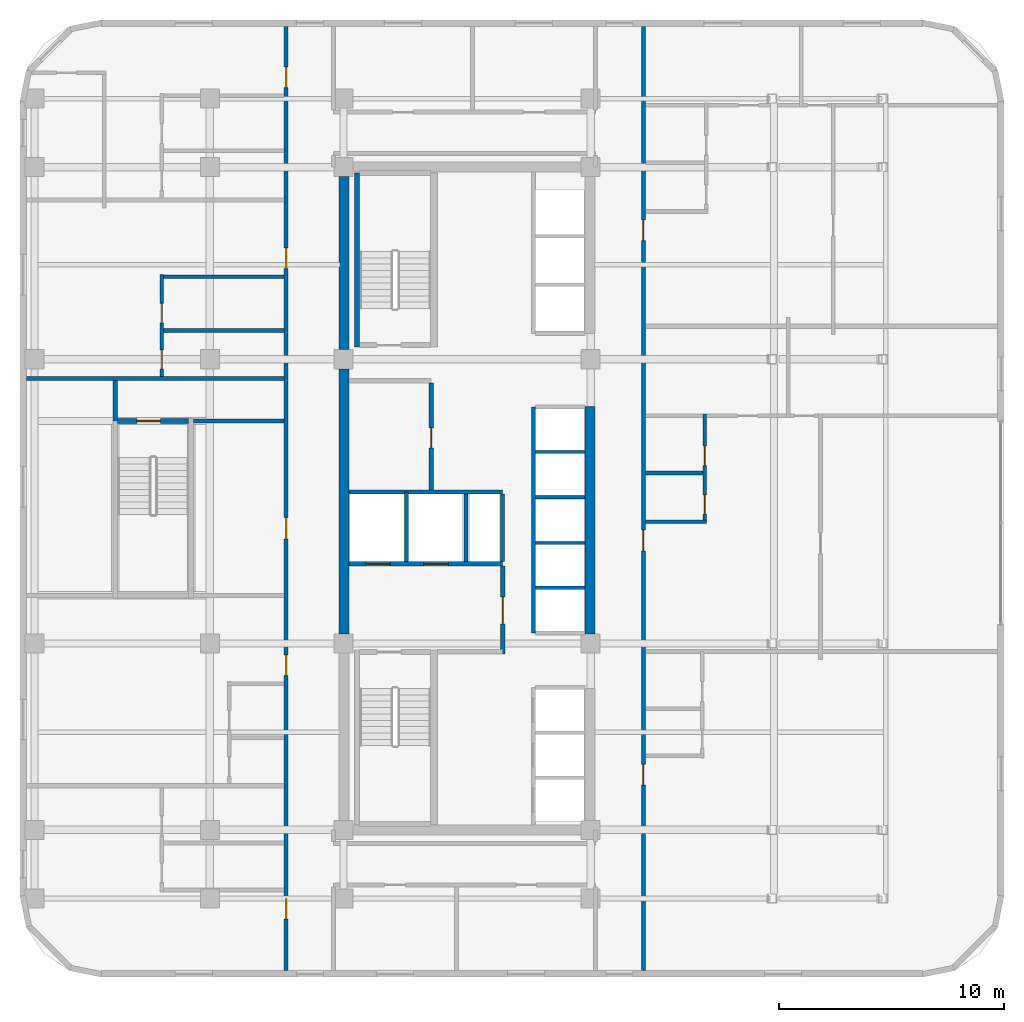
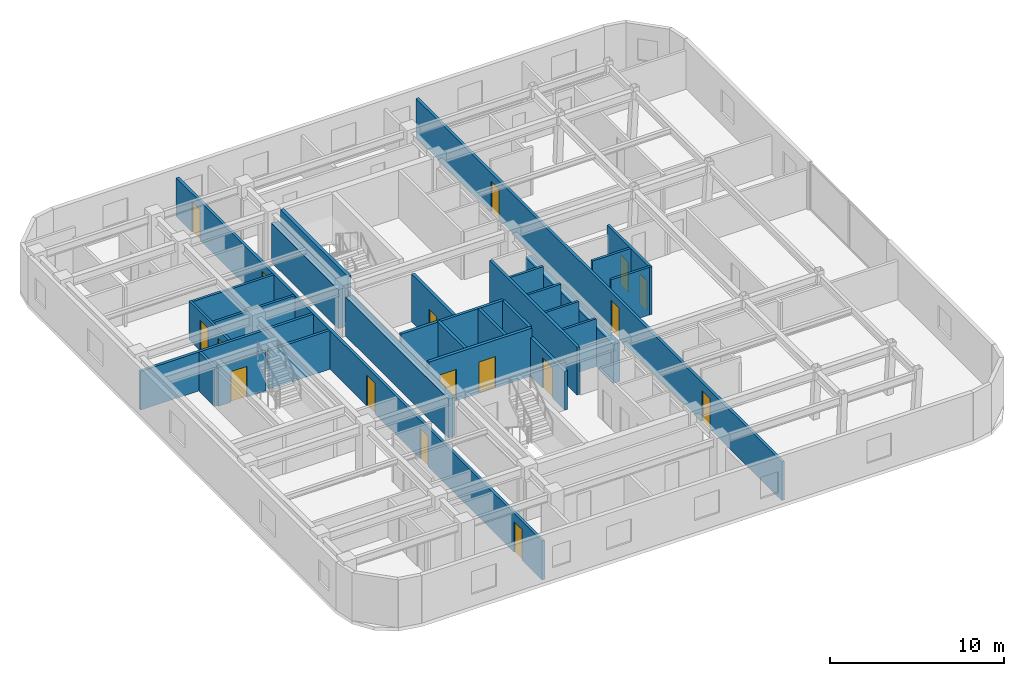
# One storey, part 5 of 9: 28 walls, 17 doors, 17 openings.
"""IFC4 building model written with IfcOpenShell, lengths in metres."""

from ifc_helpers import new_model, si_unit, direction, frame, frame_2d, origin, place, context, subcontext, project, spatial, rectangle, extrude, material, layer, layer_set, type_object, element, fill, save


model = new_model("IFC4")

# Units and contexts
model_context = context("Model", 3, precision=1e-05, world=origin(), true_north=direction((0.0, 1.0)))
body_context = subcontext(model_context, "Body", "Model", "MODEL_VIEW")
ifc_project = project(units=[si_unit("LENGTHUNIT", "METRE"), si_unit("AREAUNIT", "SQUARE_METRE"), si_unit("VOLUMEUNIT", "CUBIC_METRE"), si_unit("PLANEANGLEUNIT", "RADIAN"), si_unit("MASSUNIT", "GRAM", prefix="KILO")], contexts=[model_context])

# Site, building, storey
site_placement = place(None, origin())
site = spatial("IfcSite", under=ifc_project, at=site_placement, CompositionType="ELEMENT")
building_placement = place(site_placement, origin())
building = spatial("IfcBuilding", under=site, at=building_placement, Name="Ochreholt Gables", CompositionType="ELEMENT")
storey_placement = place(building_placement, frame((0.0, 0.0, 94.800048828125)))
storey = spatial("IfcBuildingStorey", under=building, at=storey_placement, Name="L24", CompositionType="ELEMENT", Elevation=94.800048828125)

# Walls
ifc_material_1 = material(Name="Concrete 60 MPa", Category="concrete")
ifc_layer_1 = layer(ifc_material_1, 0.449951171875, Name="Concrete 60 MPa")
ifc_layer_set_1 = layer_set([ifc_layer_1], Name="Concrete 60 MPa")
wall_type_1 = type_object("IfcWallType", Name="WALL-CSW-450", PredefinedType="SHEAR", material=ifc_layer_set_1)
wall_1_placement = place(storey_placement, frame((24.22509765625, 17.97509765625, 0.0), z_axis=(0.0, 0.0, 1.0), x_axis=(0.0, 1.0, 0.0)))
element("IfcWall", 1, at=wall_1_placement, inside=storey, type_object=wall_type_1, Name="L24 Core West Shear Wall WM", PredefinedType="SHEAR", context=body_context, shape_type="SweptSolid", body=[
    extrude(rectangle(XDim=11.7998046875, YDim=0.449951171875, at=frame_2d((5.89990234375, 0.0))), origin(), (0.0, 0.0, 1.0), 2.739013671875),
])
wall_2_placement = place(storey_placement, frame((24.22509765625, 30.625, 0.0), z_axis=(0.0, 0.0, 1.0), x_axis=(0.0, 1.0, 0.0)))
element("IfcWall", 2, at=wall_2_placement, inside=storey, type_object=wall_type_1, Name="L24 Core West Shear Wall WN", PredefinedType="SHEAR", context=body_context, shape_type="SweptSolid", body=[
    extrude(rectangle(XDim=7.699951171875, YDim=0.449951171875, at=frame_2d((3.85009765625, 0.0))), origin(), (0.0, 0.0, 1.0), 2.739013671875),
])
wall_3_placement = place(storey_placement, frame((35.175048828125, 17.97509765625, 0.0), z_axis=(0.0, 0.0, 1.0), x_axis=(0.0, 1.0, 0.0)))
element("IfcWall", 3, at=wall_3_placement, inside=storey, type_object=wall_type_1, Name="L24 Core Central-East Shear Wall", PredefinedType="SHEAR", context=body_context, shape_type="SweptSolid", body=[
    extrude(rectangle(XDim=10.125, YDim=0.449951171875, at=frame_2d((5.0625, 0.0))), origin(), (0.0, 0.0, 1.0), 2.739013671875),
])

# Wall, openings, doors
ifc_material_2 = material(Name="Concrete 40 MPa", Category="concrete")
ifc_layer_2 = layer(ifc_material_2, 0.199951171875, Name="Concrete 40 MPa")
ifc_layer_set_2 = layer_set([ifc_layer_2], Name="Concrete 40 MPa")
wall_type_2 = type_object("IfcWallType", Name="WALL-INT-CF200", PredefinedType="STANDARD", material=ifc_layer_set_2)
wall_4_placement = place(storey_placement, frame((24.449951171875, 21.090087890625, 0.0), z_axis=(0.0, 0.0, 1.0), x_axis=(1.0, 0.0, 0.0)))
wall_4 = element("IfcWall", 4, at=wall_4_placement, inside=storey, type_object=wall_type_2, Name="L24 Interior Wall WI-FFN-L24", PredefinedType="STANDARD", context=body_context, shape_type="SweptSolid", body=[
    extrude(rectangle(XDim=6.830078125, YDim=0.199951171875, at=frame_2d((3.4150390625, 0.0))), origin(), (0.0, 0.0, 1.0), 3.349853515625),
])
opening_1_placement = place(wall_4_placement, frame((0.719970703125, 0.0, 0.0)))
opening_1 = element("IfcOpeningElement", 5, at=opening_1_placement, cuts=wall_4, Name="Opening LD-FF", PredefinedType="OPENING", context=body_context, shape_type="SweptSolid", body=[
    extrude(rectangle(XDim=1.10009765625, YDim=2.199951171875, at=frame_2d((0.550048828125, 1.10009765625))), frame((0.0, 0.10986328125, 0.0), z_axis=(0.0, -1.0, 0.0), x_axis=(1.0, 0.0, 0.0)), (0.0, 0.0, 1.0), 0.219970703125),
])
opening_2_placement = place(wall_4_placement, frame((3.320068359375, 0.0, 0.0)))
opening_2 = element("IfcOpeningElement", 6, at=opening_2_placement, cuts=wall_4, Name="Opening LD-FF", PredefinedType="OPENING", context=body_context, shape_type="SweptSolid", body=[
    extrude(rectangle(XDim=1.10009765625, YDim=2.199951171875, at=frame_2d((0.550048828125, 1.10009765625))), frame((0.0, 0.10986328125, 0.0), z_axis=(0.0, -1.0, 0.0), x_axis=(1.0, 0.0, 0.0)), (0.0, 0.0, 1.0), 0.219970703125),
])
ifc_material_3 = material(Name="Stainless Steel", Category="steel")
door_type_1 = type_object("IfcDoorType", Name="DR-LFT-FF1100", OperationType="NOTDEFINED", PredefinedType="DOOR", material=ifc_material_3)
door_1_placement = place(opening_1_placement, origin())
door_1 = element("IfcDoor", 7, at=door_1_placement, inside=storey, type_object=door_type_1, Name="L24 Door LD-FF1-L24", OperationType="SLIDING_TO_LEFT", OverallHeight=2.199951171875, OverallWidth=1.10009765625, PredefinedType="DOOR", context=body_context, shape_type="SweptSolid", body=[
    extrude(rectangle(XDim=1.10009765625, YDim=2.199951171875, at=frame_2d((0.550048828125, 1.10009765625))), frame((0.0, 0.02490234375, 0.0), z_axis=(0.0, -1.0, 0.0), x_axis=(1.0, 0.0, 0.0)), (0.0, 0.0, 1.0), 0.050048828125),
])
fill(opening_1, door_1)
door_2_placement = place(opening_2_placement, origin())
door_2 = element("IfcDoor", 8, at=door_2_placement, inside=storey, type_object=door_type_1, Name="L24 Door LD-FF2-L24", OperationType="SLIDING_TO_LEFT", OverallHeight=2.199951171875, OverallWidth=1.10009765625, PredefinedType="DOOR", context=body_context, shape_type="SweptSolid", body=[
    extrude(rectangle(XDim=1.10009765625, YDim=2.199951171875, at=frame_2d((0.550048828125, 1.10009765625))), frame((0.0, 0.02490234375, 0.0), z_axis=(0.0, -1.0, 0.0), x_axis=(1.0, 0.0, 0.0)), (0.0, 0.0, 1.0), 0.050048828125),
])
fill(opening_2, door_2)

# Wall, opening, door
wall_5_placement = place(storey_placement, frame((31.280029296875, 17.070068359375, 0.0), z_axis=(0.0, 0.0, 1.0), x_axis=(0.0, 1.0, 0.0)))
wall_5 = element("IfcWall", 9, at=wall_5_placement, inside=storey, type_object=wall_type_2, Name="L24 Interior Wall WI-FFE-L24", PredefinedType="STANDARD", context=body_context, shape_type="SweptSolid", body=[
    extrude(rectangle(XDim=3.919921875, YDim=0.199951171875, at=frame_2d((1.9599609375, 0.0))), origin(), (0.0, 0.0, 1.0), 2.720947265625),
])
opening_3_placement = place(wall_5_placement, frame((1.35009765625, 0.0, 0.0)))
opening_3 = element("IfcOpeningElement", 10, at=opening_3_placement, cuts=wall_5, Name="Opening D-FFL", PredefinedType="OPENING", context=body_context, shape_type="SweptSolid", body=[
    extrude(rectangle(XDim=1.199951171875, YDim=2.14990234375, at=frame_2d((0.60009765625, 1.074951171875))), frame((0.0, 0.10986328125, 0.0), z_axis=(0.0, -1.0, 0.0), x_axis=(1.0, 0.0, 0.0)), (0.0, 0.0, 1.0), 0.219970703125),
])
ifc_material_4 = material(Name="Hollow Metal Steel", Category="steel")
door_type_2 = type_object("IfcDoorType", Name="DR-INT-FFL1200", OperationType="NOTDEFINED", PredefinedType="DOOR", material=ifc_material_4)
door_3_placement = place(opening_3_placement, origin())
door_3 = element("IfcDoor", 11, at=door_3_placement, inside=storey, type_object=door_type_2, Name="L24 Door D-FFL-L24", OperationType="SINGLE_SWING_LEFT", OverallHeight=2.14990234375, OverallWidth=1.199951171875, PredefinedType="DOOR", context=body_context, shape_type="SweptSolid", body=[
    extrude(rectangle(XDim=1.199951171875, YDim=2.14990234375, at=frame_2d((0.60009765625, 1.074951171875))), frame((0.0, 0.02490234375, 0.0), z_axis=(0.0, -1.0, 0.0), x_axis=(1.0, 0.0, 0.0)), (0.0, 0.0, 1.0), 0.050048828125),
])
fill(opening_3, door_3)

wall_6_placement = place(storey_placement, frame((28.10009765625, 24.389892578125, 0.0), z_axis=(0.0, 0.0, 1.0), x_axis=(0.0, 1.0, 0.0)))
wall_6 = element("IfcWall", 12, at=wall_6_placement, inside=storey, type_object=wall_type_2, Name="L24 Interior Wall WI-SRVE-L24", PredefinedType="STANDARD", context=body_context, shape_type="SweptSolid", body=[
    extrude(rectangle(XDim=4.75, YDim=0.199951171875, at=frame_2d((2.375, 0.0))), origin(), (0.0, 0.0, 1.0), 3.349853515625),
])
opening_4_placement = place(wall_6_placement, frame((1.860107421875, 0.0, 0.0)))
opening_4 = element("IfcOpeningElement", 13, at=opening_4_placement, cuts=wall_6, Name="Opening D-SV1", PredefinedType="OPENING", context=body_context, shape_type="SweptSolid", body=[
    extrude(rectangle(XDim=0.89990234375, YDim=2.10009765625, at=frame_2d((0.449951171875, 1.050048828125))), frame((0.0, 0.10986328125, 0.0), z_axis=(0.0, -1.0, 0.0), x_axis=(1.0, 0.0, 0.0)), (0.0, 0.0, 1.0), 0.219970703125),
])
door_type_3 = type_object("IfcDoorType", Name="DR-INT-SRV900", OperationType="NOTDEFINED", PredefinedType="DOOR", material=ifc_material_4)
door_4_placement = place(opening_4_placement, origin())
door_4 = element("IfcDoor", 14, at=door_4_placement, inside=storey, type_object=door_type_3, Name="L24 Door D-SRV1-L24", OperationType="SINGLE_SWING_LEFT", OverallHeight=2.10009765625, OverallWidth=0.89990234375, PredefinedType="DOOR", context=body_context, shape_type="SweptSolid", body=[
    extrude(rectangle(XDim=0.89990234375, YDim=2.10009765625, at=frame_2d((0.449951171875, 1.050048828125))), frame((0.0, 0.02490234375, 0.0), z_axis=(0.0, -1.0, 0.0), x_axis=(1.0, 0.0, 0.0)), (0.0, 0.0, 1.0), 0.050048828125),
])
fill(opening_4, door_4)

# Wall, openings, doors
ifc_material_5 = material(Name="Fire-Rated Gypsum Acoustic Partition", Category="gypsum")
ifc_layer_3 = layer(ifc_material_5, 0.179931640625, Name="Fire-Rated Gypsum Acoustic Partition")
ifc_layer_set_3 = layer_set([ifc_layer_3], Name="Fire-Rated Gypsum Acoustic Partition")
wall_type_3 = type_object("IfcWallType", Name="WALL-INT-CR180", PredefinedType="STANDARD", material=ifc_layer_set_3)
wall_7_placement = place(storey_placement, frame((37.550048828125, 2.97998046875, 0.0), z_axis=(0.0, 0.0, 1.0), x_axis=(0.0, 1.0, 0.0)))
wall_7 = element("IfcWall", 15, at=wall_7_placement, inside=storey, type_object=wall_type_3, Name="L24 Interior Wall WI-C1E-L24", PredefinedType="STANDARD", context=body_context, shape_type="SweptSolid", body=[
    extrude(rectangle(XDim=42.0400390625, YDim=0.179931640625, at=frame_2d((21.02001953125, 0.0))), origin(), (0.0, 0.0, 1.0), 2.720947265625),
])
opening_5_placement = place(wall_7_placement, frame((8.263916015625, 0.0, 0.0)))
opening_5 = element("IfcOpeningElement", 16, at=opening_5_placement, cuts=wall_7, Name="Opening D-UN1", PredefinedType="OPENING", context=body_context, shape_type="SweptSolid", body=[
    extrude(rectangle(XDim=0.919921875, YDim=2.14990234375, at=frame_2d((0.4599609375, 1.074951171875))), frame((0.0, 0.099853515625, 0.0), z_axis=(0.0, -1.0, 0.0), x_axis=(1.0, 0.0, 0.0)), (0.0, 0.0, 1.0), 0.199951171875),
])
opening_6_placement = place(wall_7_placement, frame((18.69091796875, 0.0, 0.0)))
opening_6 = element("IfcOpeningElement", 17, at=opening_6_placement, cuts=wall_7, Name="Opening D-UN1", PredefinedType="OPENING", context=body_context, shape_type="SweptSolid", body=[
    extrude(rectangle(XDim=0.919921875, YDim=2.14990234375, at=frame_2d((0.4599609375, 1.074951171875))), frame((0.0, 0.099853515625, 0.0), z_axis=(0.0, -1.0, 0.0), x_axis=(1.0, 0.0, 0.0)), (0.0, 0.0, 1.0), 0.199951171875),
])
opening_7_placement = place(wall_7_placement, frame((32.494384765625, 0.0, 0.0)))
opening_7 = element("IfcOpeningElement", 18, at=opening_7_placement, cuts=wall_7, Name="Opening D-UN1", PredefinedType="OPENING", context=body_context, shape_type="SweptSolid", body=[
    extrude(rectangle(XDim=0.919921875, YDim=2.14990234375, at=frame_2d((0.4599609375, 1.074951171875))), frame((0.0, 0.099853515625, 0.0), z_axis=(0.0, -1.0, 0.0), x_axis=(1.0, 0.0, 0.0)), (0.0, 0.0, 1.0), 0.199951171875),
])
ifc_material_6 = material(Name="Engineered Oak Timber", Category="wood")
door_type_4 = type_object("IfcDoorType", Name="DR-INT-UNT920", OperationType="NOTDEFINED", PredefinedType="DOOR", material=ifc_material_6)
door_5_placement = place(opening_5_placement, origin())
door_5 = element("IfcDoor", 19, at=door_5_placement, inside=storey, type_object=door_type_4, Name="L24 Door D-U-L24E1-ENT", OperationType="SINGLE_SWING_RIGHT", OverallHeight=2.14990234375, OverallWidth=0.919921875, PredefinedType="DOOR", context=body_context, shape_type="SweptSolid", body=[
    extrude(rectangle(XDim=0.919921875, YDim=2.14990234375, at=frame_2d((0.4599609375, 1.074951171875))), frame((0.0, 0.02490234375, 0.0), z_axis=(0.0, -1.0, 0.0), x_axis=(1.0, 0.0, 0.0)), (0.0, 0.0, 1.0), 0.050048828125),
])
fill(opening_5, door_5)
door_6_placement = place(opening_6_placement, origin())
door_6 = element("IfcDoor", 20, at=door_6_placement, inside=storey, type_object=door_type_4, Name="L24 Door D-U-L24E2-ENT", OperationType="SINGLE_SWING_LEFT", OverallHeight=2.14990234375, OverallWidth=0.919921875, PredefinedType="DOOR", context=body_context, shape_type="SweptSolid", body=[
    extrude(rectangle(XDim=0.919921875, YDim=2.14990234375, at=frame_2d((0.4599609375, 1.074951171875))), frame((0.0, 0.02490234375, 0.0), z_axis=(0.0, -1.0, 0.0), x_axis=(1.0, 0.0, 0.0)), (0.0, 0.0, 1.0), 0.050048828125),
])
fill(opening_6, door_6)
door_7_placement = place(opening_7_placement, origin())
door_7 = element("IfcDoor", 21, at=door_7_placement, inside=storey, type_object=door_type_4, Name="L24 Door D-U-L24E3-ENT", OperationType="SINGLE_SWING_RIGHT", OverallHeight=2.14990234375, OverallWidth=0.919921875, PredefinedType="DOOR", context=body_context, shape_type="SweptSolid", body=[
    extrude(rectangle(XDim=0.919921875, YDim=2.14990234375, at=frame_2d((0.4599609375, 1.074951171875))), frame((0.0, 0.02490234375, 0.0), z_axis=(0.0, -1.0, 0.0), x_axis=(1.0, 0.0, 0.0)), (0.0, 0.0, 1.0), 0.050048828125),
])
fill(opening_7, door_7)

wall_8_placement = place(storey_placement, frame((21.64990234375, 2.97998046875, 0.0), z_axis=(0.0, 0.0, 1.0), x_axis=(0.0, 1.0, 0.0)))
wall_8 = element("IfcWall", 22, at=wall_8_placement, inside=storey, type_object=wall_type_3, Name="L24 Interior Wall WI-C1W-L24", PredefinedType="STANDARD", context=body_context, shape_type="SweptSolid", body=[
    extrude(rectangle(XDim=42.0400390625, YDim=0.179931640625, at=frame_2d((21.02001953125, 0.0))), origin(), (0.0, 0.0, 1.0), 2.720947265625),
])
opening_8_placement = place(wall_8_placement, frame((2.294921875, 0.0, 0.0)))
opening_8 = element("IfcOpeningElement", 23, at=opening_8_placement, cuts=wall_8, Name="Opening D-UN1", PredefinedType="OPENING", context=body_context, shape_type="SweptSolid", body=[
    extrude(rectangle(XDim=0.919921875, YDim=2.14990234375, at=frame_2d((0.4599609375, 1.074951171875))), frame((0.0, 0.099853515625, 0.0), z_axis=(0.0, -1.0, 0.0), x_axis=(1.0, 0.0, 0.0)), (0.0, 0.0, 1.0), 0.199951171875),
])
opening_9_placement = place(wall_8_placement, frame((13.135009765625, 0.0, 0.0)))
opening_9 = element("IfcOpeningElement", 24, at=opening_9_placement, cuts=wall_8, Name="Opening D-UN1", PredefinedType="OPENING", context=body_context, shape_type="SweptSolid", body=[
    extrude(rectangle(XDim=0.919921875, YDim=2.14990234375, at=frame_2d((0.4599609375, 1.074951171875))), frame((0.0, 0.099853515625, 0.0), z_axis=(0.0, -1.0, 0.0), x_axis=(1.0, 0.0, 0.0)), (0.0, 0.0, 1.0), 0.199951171875),
])
opening_10_placement = place(wall_8_placement, frame((19.219970703125, 0.0, 0.0)))
opening_10 = element("IfcOpeningElement", 25, at=opening_10_placement, cuts=wall_8, Name="Opening D-GN1", PredefinedType="OPENING", context=body_context, shape_type="SweptSolid", body=[
    extrude(rectangle(XDim=0.949951171875, YDim=2.14990234375, at=frame_2d((0.47509765625, 1.074951171875))), frame((0.0, 0.099853515625, 0.0), z_axis=(0.0, -1.0, 0.0), x_axis=(1.0, 0.0, 0.0)), (0.0, 0.0, 1.0), 0.199951171875),
])
opening_11_placement = place(wall_8_placement, frame((31.260009765625, 0.0, 0.0)))
opening_11 = element("IfcOpeningElement", 26, at=opening_11_placement, cuts=wall_8, Name="Opening D-UN1", PredefinedType="OPENING", context=body_context, shape_type="SweptSolid", body=[
    extrude(rectangle(XDim=0.919921875, YDim=2.14990234375, at=frame_2d((0.4599609375, 1.074951171875))), frame((0.0, 0.099853515625, 0.0), z_axis=(0.0, -1.0, 0.0), x_axis=(1.0, 0.0, 0.0)), (0.0, 0.0, 1.0), 0.199951171875),
])
opening_12_placement = place(wall_8_placement, frame((39.31005859375, 0.0, 0.0)))
opening_12 = element("IfcOpeningElement", 27, at=opening_12_placement, cuts=wall_8, Name="Opening D-UN1", PredefinedType="OPENING", context=body_context, shape_type="SweptSolid", body=[
    extrude(rectangle(XDim=0.919921875, YDim=2.14990234375, at=frame_2d((0.4599609375, 1.074951171875))), frame((0.0, 0.099853515625, 0.0), z_axis=(0.0, -1.0, 0.0), x_axis=(1.0, 0.0, 0.0)), (0.0, 0.0, 1.0), 0.199951171875),
])
door_type_5 = type_object("IfcDoorType", Name="DR-INT-GEN950", OperationType="NOTDEFINED", PredefinedType="DOOR", material=ifc_material_6)
door_8_placement = place(opening_10_placement, origin())
door_8 = element("IfcDoor", 28, at=door_8_placement, inside=storey, type_object=door_type_5, Name="L24 Door D-C1WRR-L24", OperationType="SINGLE_SWING_LEFT", OverallHeight=2.14990234375, OverallWidth=0.949951171875, PredefinedType="DOOR", context=body_context, shape_type="SweptSolid", body=[
    extrude(rectangle(XDim=0.949951171875, YDim=2.14990234375, at=frame_2d((0.47509765625, 1.074951171875))), frame((0.0, 0.02490234375, 0.0), z_axis=(0.0, -1.0, 0.0), x_axis=(1.0, 0.0, 0.0)), (0.0, 0.0, 1.0), 0.050048828125),
])
fill(opening_10, door_8)
door_9_placement = place(opening_8_placement, origin())
door_9 = element("IfcDoor", 29, at=door_9_placement, inside=storey, type_object=door_type_4, Name="L24 Door D-U-L24W1-ENT", OperationType="SINGLE_SWING_LEFT", OverallHeight=2.14990234375, OverallWidth=0.919921875, PredefinedType="DOOR", context=body_context, shape_type="SweptSolid", body=[
    extrude(rectangle(XDim=0.919921875, YDim=2.14990234375, at=frame_2d((0.4599609375, 1.074951171875))), frame((0.0, 0.02490234375, 0.0), z_axis=(0.0, -1.0, 0.0), x_axis=(1.0, 0.0, 0.0)), (0.0, 0.0, 1.0), 0.050048828125),
])
fill(opening_8, door_9)
door_10_placement = place(opening_9_placement, origin())
door_10 = element("IfcDoor", 30, at=door_10_placement, inside=storey, type_object=door_type_4, Name="L24 Door D-U-L24W2-ENT", OperationType="SINGLE_SWING_RIGHT", OverallHeight=2.14990234375, OverallWidth=0.919921875, PredefinedType="DOOR", context=body_context, shape_type="SweptSolid", body=[
    extrude(rectangle(XDim=0.919921875, YDim=2.14990234375, at=frame_2d((0.4599609375, 1.074951171875))), frame((0.0, 0.02490234375, 0.0), z_axis=(0.0, -1.0, 0.0), x_axis=(1.0, 0.0, 0.0)), (0.0, 0.0, 1.0), 0.050048828125),
])
fill(opening_9, door_10)
door_11_placement = place(opening_11_placement, origin())
door_11 = element("IfcDoor", 31, at=door_11_placement, inside=storey, type_object=door_type_4, Name="L24 Door D-U-L24W3-ENT", OperationType="SINGLE_SWING_LEFT", OverallHeight=2.14990234375, OverallWidth=0.919921875, PredefinedType="DOOR", context=body_context, shape_type="SweptSolid", body=[
    extrude(rectangle(XDim=0.919921875, YDim=2.14990234375, at=frame_2d((0.4599609375, 1.074951171875))), frame((0.0, 0.02490234375, 0.0), z_axis=(0.0, -1.0, 0.0), x_axis=(1.0, 0.0, 0.0)), (0.0, 0.0, 1.0), 0.050048828125),
])
fill(opening_11, door_11)
door_12_placement = place(opening_12_placement, origin())
door_12 = element("IfcDoor", 32, at=door_12_placement, inside=storey, type_object=door_type_4, Name="L24 Door D-U-L24W4-ENT", OperationType="SINGLE_SWING_RIGHT", OverallHeight=2.14990234375, OverallWidth=0.919921875, PredefinedType="DOOR", context=body_context, shape_type="SweptSolid", body=[
    extrude(rectangle(XDim=0.919921875, YDim=2.14990234375, at=frame_2d((0.4599609375, 1.074951171875))), frame((0.0, 0.02490234375, 0.0), z_axis=(0.0, -1.0, 0.0), x_axis=(1.0, 0.0, 0.0)), (0.0, 0.0, 1.0), 0.050048828125),
])
fill(opening_12, door_12)

# Walls
wall_9_placement = place(storey_placement, frame((17.530029296875, 27.449951171875, 0.0), z_axis=(0.0, 0.0, 1.0), x_axis=(1.0, 0.0, 0.0)))
element("IfcWall", 33, at=wall_9_placement, inside=storey, type_object=wall_type_3, Name="L24 Interior Wall WI-C1FS1-L24", PredefinedType="STANDARD", context=body_context, shape_type="SweptSolid", body=[
    extrude(rectangle(XDim=4.030029296875, YDim=0.179931640625, at=frame_2d((2.01513671875, 0.0))), origin(), (0.0, 0.0, 1.0), 2.720947265625),
])
wall_10_placement = place(storey_placement, frame((10.080078125, 29.340087890625, 0.0), z_axis=(0.0, 0.0, 1.0), x_axis=(1.0, 0.0, 0.0)))
element("IfcWall", 34, at=wall_10_placement, inside=storey, type_object=wall_type_3, Name="L24 Interior Wall WI-C1FS2-L24", PredefinedType="STANDARD", context=body_context, shape_type="SweptSolid", body=[
    extrude(rectangle(XDim=11.47998046875, YDim=0.179931640625, at=frame_2d((5.739990234375, 0.0))), origin(), (0.0, 0.0, 1.0), 2.720947265625),
])
wall_11_placement = place(storey_placement, frame((14.0400390625, 27.449951171875, 0.0), z_axis=(0.0, 0.0, 1.0), x_axis=(0.0, 1.0, 0.0)))
element("IfcWall", 35, at=wall_11_placement, inside=storey, type_object=wall_type_3, Name="L24 Interior Wall WI-C1FS3-L24", PredefinedType="STANDARD", context=body_context, shape_type="SweptSolid", body=[
    extrude(rectangle(XDim=1.800048828125, YDim=0.179931640625, at=frame_2d((0.89990234375, 0.0))), origin(), (0.0, 0.0, 1.0), 2.720947265625),
])
ifc_material_7 = material(Name="Moisture-Resistant Plumbing Chase Wall", Category="gypsum")
ifc_layer_4 = layer(ifc_material_7, 0.159912109375, Name="Moisture-Resistant Plumbing Chase Wall")
ifc_layer_set_4 = layer_set([ifc_layer_4], Name="Moisture-Resistant Plumbing Chase Wall")
wall_type_4 = type_object("IfcWallType", Name="WALL-INT-PL160", PredefinedType="PLUMBINGWALL", material=ifc_layer_set_4)
wall_12_placement = place(storey_placement, frame((37.639892578125, 22.970947265625, 0.0), z_axis=(0.0, 0.0, 1.0), x_axis=(1.0, 0.0, 0.0)))
element("IfcWall", 36, at=wall_12_placement, inside=storey, type_object=wall_type_4, Name="L24 Interior Wall WU-L24E2-FYS", PredefinedType="PLUMBINGWALL", context=body_context, shape_type="SweptSolid", body=[
    extrude(rectangle(XDim=2.712158203125, YDim=0.159912109375, at=frame_2d((1.35595703125, 0.0))), origin(), (0.0, 0.0, 1.0), 3.349853515625),
])

# Wall, openings, doors
wall_13_placement = place(storey_placement, frame((40.27197265625, 22.881103515625, 0.0), z_axis=(0.0, 0.0, 1.0), x_axis=(0.0, 1.0, 0.0)))
wall_13 = element("IfcWall", 37, at=wall_13_placement, inside=storey, type_object=wall_type_4, Name="L24 Interior Wall WU-L24E2-WX", PredefinedType="PLUMBINGWALL", context=body_context, shape_type="SweptSolid", body=[
    extrude(rectangle(XDim=4.886962890625, YDim=0.159912109375, at=frame_2d((2.443359375, 0.0))), origin(), (0.0, 0.0, 1.0), 3.349853515625),
])
opening_13_placement = place(wall_13_placement, frame((0.419921875, 0.0, 0.0)))
opening_13 = element("IfcOpeningElement", 38, at=opening_13_placement, cuts=wall_13, Name="Opening D-BT1", PredefinedType="OPENING", context=body_context, shape_type="SweptSolid", body=[
    extrude(rectangle(XDim=0.860107421875, YDim=2.1201171875, at=frame_2d((0.43017578125, 1.06005859375))), frame((0.0, 0.08984375, 0.0), z_axis=(0.0, -1.0, 0.0), x_axis=(1.0, 0.0, 0.0)), (0.0, 0.0, 1.0), 0.179931640625),
])
opening_14_placement = place(wall_13_placement, frame((2.585205078125, 0.0, 0.0)))
opening_14 = element("IfcOpeningElement", 39, at=opening_14_placement, cuts=wall_13, Name="Opening D-GN2", PredefinedType="OPENING", context=body_context, shape_type="SweptSolid", body=[
    extrude(rectangle(XDim=0.8798828125, YDim=2.1201171875, at=frame_2d((0.43994140625, 1.06005859375))), frame((0.0, 0.08984375, 0.0), z_axis=(0.0, -1.0, 0.0), x_axis=(1.0, 0.0, 0.0)), (0.0, 0.0, 1.0), 0.179931640625),
])
door_type_6 = type_object("IfcDoorType", Name="DR-INT-BTH860", OperationType="NOTDEFINED", PredefinedType="DOOR", material=ifc_material_6)
door_13_placement = place(opening_13_placement, origin())
door_13 = element("IfcDoor", 40, at=door_13_placement, inside=storey, type_object=door_type_6, Name="L24 Door D-U-L24E2-BTH", OperationType="SINGLE_SWING_RIGHT", OverallHeight=2.1201171875, OverallWidth=0.860107421875, PredefinedType="DOOR", context=body_context, shape_type="SweptSolid", body=[
    extrude(rectangle(XDim=0.860107421875, YDim=2.1201171875, at=frame_2d((0.43017578125, 1.06005859375))), frame((0.0, 0.02490234375, 0.0), z_axis=(0.0, -1.0, 0.0), x_axis=(1.0, 0.0, 0.0)), (0.0, 0.0, 1.0), 0.050048828125),
])
fill(opening_13, door_13)
door_type_7 = type_object("IfcDoorType", Name="DR-INT-GEN880", OperationType="NOTDEFINED", PredefinedType="DOOR", material=ifc_material_6)
door_14_placement = place(opening_14_placement, origin())
door_14 = element("IfcDoor", 41, at=door_14_placement, inside=storey, type_object=door_type_7, Name="L24 Door D-U-L24E2-KIT", OperationType="SINGLE_SWING_LEFT", OverallHeight=2.1201171875, OverallWidth=0.8798828125, PredefinedType="DOOR", context=body_context, shape_type="SweptSolid", body=[
    extrude(rectangle(XDim=0.8798828125, YDim=2.1201171875, at=frame_2d((0.43994140625, 1.06005859375))), frame((0.0, 0.02490234375, 0.0), z_axis=(0.0, -1.0, 0.0), x_axis=(1.0, 0.0, 0.0)), (0.0, 0.0, 1.0), 0.050048828125),
])
fill(opening_14, door_14)

# Walls
wall_14_placement = place(storey_placement, frame((37.639892578125, 25.13623046875, 0.0), z_axis=(0.0, 0.0, 1.0), x_axis=(1.0, 0.0, 0.0)))
element("IfcWall", 42, at=wall_14_placement, inside=storey, type_object=wall_type_4, Name="L24 Interior Wall WU-L24E2-WK", PredefinedType="PLUMBINGWALL", context=body_context, shape_type="SweptSolid", body=[
    extrude(rectangle(XDim=2.552001953125, YDim=0.159912109375, at=frame_2d((1.27587890625, 0.0))), origin(), (0.0, 0.0, 1.0), 3.349853515625),
])
wall_15_placement = place(storey_placement, frame((16.030029296875, 33.8798828125, 0.0), z_axis=(0.0, 0.0, 1.0), x_axis=(1.0, 0.0, 0.0)))
element("IfcWall", 43, at=wall_15_placement, inside=storey, type_object=wall_type_4, Name="L24 Interior Wall WU-L24W3-WYN", PredefinedType="PLUMBINGWALL", context=body_context, shape_type="SweptSolid", body=[
    extrude(rectangle(XDim=5.530029296875, YDim=0.159912109375, at=frame_2d((2.76513671875, 0.0))), origin(), (0.0, 0.0, 1.0), 2.720947265625),
])

# Wall, openings, doors
wall_16_placement = place(storey_placement, frame((16.110107421875, 29.429931640625, 0.0), z_axis=(0.0, 0.0, 1.0), x_axis=(0.0, 1.0, 0.0)))
wall_16 = element("IfcWall", 44, at=wall_16_placement, inside=storey, type_object=wall_type_4, Name="L24 Interior Wall WU-L24W3-WX", PredefinedType="PLUMBINGWALL", context=body_context, shape_type="SweptSolid", body=[
    extrude(rectangle(XDim=4.5400390625, YDim=0.159912109375, at=frame_2d((2.27001953125, 0.0))), origin(), (0.0, 0.0, 1.0), 2.720947265625),
])
opening_15_placement = place(wall_16_placement, frame((0.330078125, 0.0, 0.0)))
opening_15 = element("IfcOpeningElement", 45, at=opening_15_placement, cuts=wall_16, Name="Opening D-BT1", PredefinedType="OPENING", context=body_context, shape_type="SweptSolid", body=[
    extrude(rectangle(XDim=0.860107421875, YDim=2.1201171875, at=frame_2d((0.43017578125, 1.06005859375))), frame((0.0, 0.08984375, 0.0), z_axis=(0.0, -1.0, 0.0), x_axis=(1.0, 0.0, 0.0)), (0.0, 0.0, 1.0), 0.179931640625),
])
opening_16_placement = place(wall_16_placement, frame((2.376953125, 0.0, 0.0)))
opening_16 = element("IfcOpeningElement", 46, at=opening_16_placement, cuts=wall_16, Name="Opening D-GN2", PredefinedType="OPENING", context=body_context, shape_type="SweptSolid", body=[
    extrude(rectangle(XDim=0.8798828125, YDim=2.1201171875, at=frame_2d((0.43994140625, 1.06005859375))), frame((0.0, 0.08984375, 0.0), z_axis=(0.0, -1.0, 0.0), x_axis=(1.0, 0.0, 0.0)), (0.0, 0.0, 1.0), 0.179931640625),
])
door_15_placement = place(opening_15_placement, origin())
door_15 = element("IfcDoor", 47, at=door_15_placement, inside=storey, type_object=door_type_6, Name="L24 Door D-U-L24W3-BTH", OperationType="SINGLE_SWING_RIGHT", OverallHeight=2.1201171875, OverallWidth=0.860107421875, PredefinedType="DOOR", context=body_context, shape_type="SweptSolid", body=[
    extrude(rectangle(XDim=0.860107421875, YDim=2.1201171875, at=frame_2d((0.43017578125, 1.06005859375))), frame((0.0, 0.02490234375, 0.0), z_axis=(0.0, -1.0, 0.0), x_axis=(1.0, 0.0, 0.0)), (0.0, 0.0, 1.0), 0.050048828125),
])
fill(opening_15, door_15)
door_16_placement = place(opening_16_placement, origin())
door_16 = element("IfcDoor", 48, at=door_16_placement, inside=storey, type_object=door_type_7, Name="L24 Door D-U-L24W3-KIT", OperationType="SINGLE_SWING_LEFT", OverallHeight=2.1201171875, OverallWidth=0.8798828125, PredefinedType="DOOR", context=body_context, shape_type="SweptSolid", body=[
    extrude(rectangle(XDim=0.8798828125, YDim=2.1201171875, at=frame_2d((0.43994140625, 1.06005859375))), frame((0.0, 0.02490234375, 0.0), z_axis=(0.0, -1.0, 0.0), x_axis=(1.0, 0.0, 0.0)), (0.0, 0.0, 1.0), 0.050048828125),
])
fill(opening_16, door_16)

# Walls
wall_17_placement = place(storey_placement, frame((16.18994140625, 31.47705078125, 0.0), z_axis=(0.0, 0.0, 1.0), x_axis=(1.0, 0.0, 0.0)))
element("IfcWall", 49, at=wall_17_placement, inside=storey, type_object=wall_type_4, Name="L24 Interior Wall WU-L24W3-WM", PredefinedType="PLUMBINGWALL", context=body_context, shape_type="SweptSolid", body=[
    extrude(rectangle(XDim=5.3701171875, YDim=0.159912109375, at=frame_2d((2.68505859375, 0.0))), origin(), (0.0, 0.0, 1.0), 2.720947265625),
])
ifc_material_8 = material(Name="Gypsum Shaftliner and Steel Stud", Category="steel")
ifc_layer_5 = layer(ifc_material_8, 0.14990234375, Name="Gypsum Shaftliner and Steel Stud")
ifc_layer_set_5 = layer_set([ifc_layer_5], Name="Gypsum Shaftliner and Steel Stud")
wall_type_5 = type_object("IfcWallType", Name="WALL-INT-SH150", PredefinedType="STANDARD", material=ifc_layer_set_5)
for number, where, z_axis, x_axis, name in (
    (50, (32.739990234375, 20.02001953125, 0.0), (0.0, 0.0, 1.0), (1.0, 0.0, 0.0), "L24 Interior Wall WI-LFHE-DH1-L24"),
    (51, (32.739990234375, 22.02001953125, 0.0), (0.0, 0.0, 1.0), (1.0, 0.0, 0.0), "L24 Interior Wall WI-LFHE-DH2-L24"),
    (52, (32.739990234375, 24.050048828125, 0.0), (0.0, 0.0, 1.0), (1.0, 0.0, 0.0), "L24 Interior Wall WI-LFHE-DHE-L24"),
    (53, (32.739990234375, 26.070068359375, 0.0), (0.0, 0.0, 1.0), (1.0, 0.0, 0.0), "L24 Interior Wall WI-LFHE-DEX1-L24"),
):
    element("IfcWall", number, at=place(storey_placement, frame(where, z_axis=z_axis, x_axis=x_axis)), inside=storey, type_object=wall_type_5, Name=name, PredefinedType="STANDARD", context=body_context, shape_type="SweptSolid", body=[
        extrude(rectangle(XDim=2.2099609375, YDim=0.14990234375, at=frame_2d((1.10498046875, 0.0))), origin(), (0.0, 0.0, 1.0), 3.349853515625),
    ])
ifc_layer_6 = layer(ifc_material_8, 0.179931640625, Name="Gypsum Shaftliner and Steel Stud")
ifc_layer_set_6 = layer_set([ifc_layer_6], Name="Gypsum Shaftliner and Steel Stud")
wall_type_6 = type_object("IfcWallType", Name="WALL-INT-SH180", PredefinedType="STANDARD", material=ifc_layer_set_6)
wall_18_placement = place(storey_placement, frame((27.0, 21.18994140625, 0.0), z_axis=(0.0, 0.0, 1.0), x_axis=(0.0, 1.0, 0.0)))
element("IfcWall", 54, at=wall_18_placement, inside=storey, type_object=wall_type_6, Name="L24 Interior Wall WI-FFDIV-L24", PredefinedType="STANDARD", context=body_context, shape_type="SweptSolid", body=[
    extrude(rectangle(XDim=3.110107421875, YDim=0.179931640625, at=frame_2d((1.55517578125, 0.0))), origin(), (0.0, 0.0, 1.0), 3.349853515625),
])
wall_19_placement = place(storey_placement, frame((24.449951171875, 24.300048828125, 0.0), z_axis=(0.0, 0.0, 1.0), x_axis=(1.0, 0.0, 0.0)))
element("IfcWall", 55, at=wall_19_placement, inside=storey, type_object=wall_type_6, Name="L24 Interior Wall WI-FFBK-L24", PredefinedType="STANDARD", context=body_context, shape_type="SweptSolid", body=[
    extrude(rectangle(XDim=6.830078125, YDim=0.179931640625, at=frame_2d((3.4150390625, 0.0))), origin(), (0.0, 0.0, 1.0), 3.349853515625),
])
for number, where, z_axis, x_axis, name in (
    (56, (29.64990234375, 21.18994140625, 0.0), (0.0, 0.0, 1.0), (0.0, 1.0, 0.0), "L24 Interior Wall WI-FFSH-L24"),
    (57, (31.280029296875, 21.18994140625, 0.0), (0.0, 0.0, 1.0), (0.0, 1.0, 0.0), "L24 Interior Wall WI-RSE-L24"),
):
    element("IfcWall", number, at=place(storey_placement, frame(where, z_axis=z_axis, x_axis=x_axis)), inside=storey, type_object=wall_type_6, Name=name, PredefinedType="STANDARD", context=body_context, shape_type="SweptSolid", body=[
        extrude(rectangle(XDim=3.02001953125, YDim=0.179931640625, at=frame_2d((1.510009765625, 0.0))), origin(), (0.0, 0.0, 1.0), 3.349853515625),
    ])
wall_20_placement = place(storey_placement, frame((32.64990234375, 18.02001953125, 0.0), z_axis=(0.0, 0.0, 1.0), x_axis=(0.0, 1.0, 0.0)))
element("IfcWall", 58, at=wall_20_placement, inside=storey, type_object=wall_type_6, Name="L24 Interior Wall WI-LFHE-FR-L24", PredefinedType="STANDARD", context=body_context, shape_type="SweptSolid", body=[
    extrude(rectangle(XDim=10.06005859375, YDim=0.179931640625, at=frame_2d((5.030029296875, 0.0))), origin(), (0.0, 0.0, 1.0), 3.349853515625),
])
ifc_material_9 = material(Name="Concrete 50 MPa", Category="concrete")
ifc_layer_7 = layer(ifc_material_9, 0.219970703125, Name="Concrete 50 MPa")
ifc_layer_set_7 = layer_set([ifc_layer_7], Name="Concrete 50 MPa")
wall_type_7 = type_object("IfcWallType", Name="WALL-STW-220", PredefinedType="SHEAR", material=ifc_layer_set_7)
wall_21_placement = place(storey_placement, frame((24.81005859375, 30.739990234375, 0.0), z_axis=(0.0, 0.0, 1.0), x_axis=(0.0, 1.0, 0.0)))
element("IfcWall", 59, at=wall_21_placement, inside=storey, type_object=wall_type_7, Name="L24 Exit Stair 2 West Wall", PredefinedType="SHEAR", context=body_context, shape_type="SweptSolid", body=[
    extrude(rectangle(XDim=7.760009765625, YDim=0.219970703125, at=frame_2d((3.8798828125, 0.0))), origin(), (0.0, 0.0, 1.0), 3.349853515625),
])

# Wall, opening, door
wall_22_placement = place(storey_placement, frame((14.14990234375, 27.449951171875, 0.0), z_axis=(0.0, 0.0, 1.0), x_axis=(1.0, 0.0, 0.0)))
wall_22 = element("IfcWall", 60, at=wall_22_placement, inside=storey, type_object=wall_type_7, Name="L24 Feature Stair ST-C2 North Wall", PredefinedType="SHEAR", context=body_context, shape_type="SweptSolid", body=[
    extrude(rectangle(XDim=3.16015625, YDim=0.219970703125, at=frame_2d((1.580078125, 0.0))), origin(), (0.0, 0.0, 1.0), 2.7392578125),
])
opening_17_placement = place(wall_22_placement, frame((0.85009765625, 0.0, 0.0)))
opening_17 = element("IfcOpeningElement", 61, at=opening_17_placement, cuts=wall_22, Name="Opening D-STC", PredefinedType="OPENING", context=body_context, shape_type="SweptSolid", body=[
    extrude(rectangle(XDim=1.050048828125, YDim=2.14990234375, at=frame_2d((0.52490234375, 1.074951171875))), frame((0.0, 0.119873046875, 0.0), z_axis=(0.0, -1.0, 0.0), x_axis=(1.0, 0.0, 0.0)), (0.0, 0.0, 1.0), 0.239990234375),
])
door_type_8 = type_object("IfcDoorType", Name="DR-INT-ST1050", OperationType="NOTDEFINED", PredefinedType="DOOR", material=ifc_material_4)
door_17_placement = place(opening_17_placement, frame((1.050048828125, 0.0, 0.0), z_axis=(0.0, 0.0, 1.0), x_axis=(-1.0, 0.0, 0.0)))
door_17 = element("IfcDoor", 62, at=door_17_placement, inside=storey, type_object=door_type_8, Name="L24 Door D-FST-L24", OperationType="SINGLE_SWING_LEFT", OverallHeight=2.14990234375, OverallWidth=1.050048828125, PredefinedType="DOOR", context=body_context, shape_type="SweptSolid", body=[
    extrude(rectangle(XDim=1.050048828125, YDim=2.14990234375, at=frame_2d((0.52490234375, 1.074951171875))), frame((0.0, 0.02490234375, 0.0), z_axis=(0.0, -1.0, 0.0), x_axis=(1.0, 0.0, 0.0)), (0.0, 0.0, 1.0), 0.050048828125),
])
fill(opening_17, door_17)

save(model, "model.ifc")
